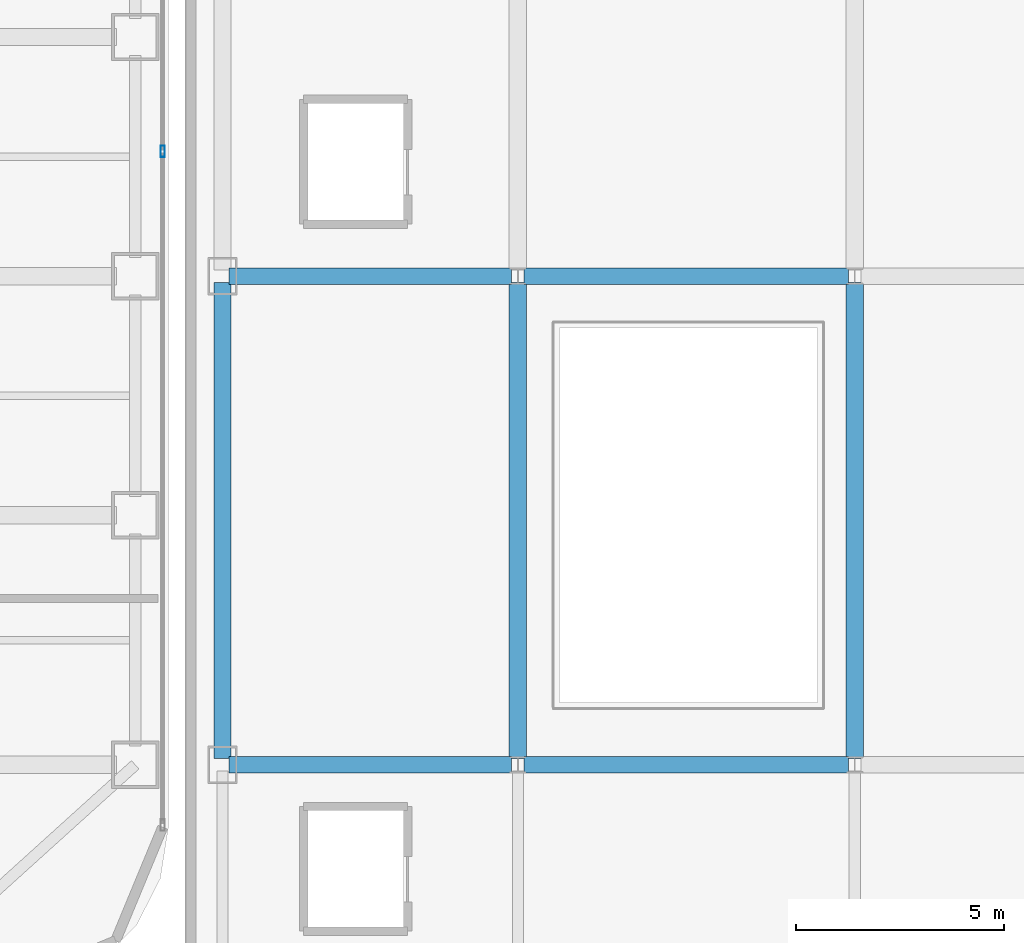
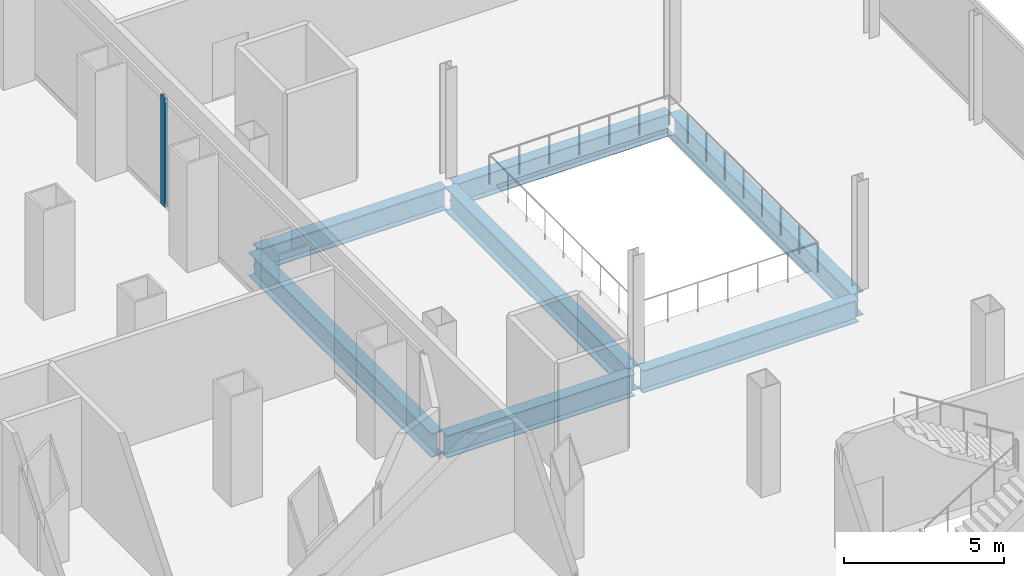
# One storey, part 12 of 27: 7 beams, 1 member, 1 element without a shape of its own.
"""IFC4 building model written with IfcOpenShell, lengths in metres."""

from ifc_helpers import new_model, si_unit, direction, frame, origin, origin_2d, place, context, subcontext, project, spatial, hollow_rectangle, i_section, extrude, source, transform, mapped, material, layer, layer_set, material_profile, profile_set, type_object, element, aggregate, save


model = new_model("IFC4")

# Units and contexts
model_context = context("Model", 3, precision=1e-05, world=origin(), true_north=direction((0.0, 1.0)))
body_context = subcontext(model_context, "Body", "Model", "MODEL_VIEW")
ifc_project = project(units=[si_unit("LENGTHUNIT", "METRE"), si_unit("AREAUNIT", "SQUARE_METRE"), si_unit("VOLUMEUNIT", "CUBIC_METRE"), si_unit("PLANEANGLEUNIT", "RADIAN"), si_unit("MASSUNIT", "GRAM", prefix="KILO")], contexts=[model_context])

# Site, building, storey
site_placement = place(None, origin())
site = spatial("IfcSite", under=ifc_project, at=site_placement, CompositionType="ELEMENT")
building_placement = place(site_placement, origin())
building = spatial("IfcBuilding", under=site, at=building_placement, Name="Kolveth Station Tower", CompositionType="ELEMENT")
storey_placement = place(building_placement, frame((0.0, 0.0, 13.5)))
storey = spatial("IfcBuildingStorey", under=building, at=storey_placement, Name="L03", CompositionType="ELEMENT", Elevation=13.5)

# Beams
ifc_material_1 = material(Name="Steel S355", Category="steel")
ifc_material_profile_1 = material_profile(ifc_material_1, i_section(OverallWidth=0.40087890625, OverallDepth=0.85107421875, WebThickness=0.01611328125, FlangeThickness=0.025390625, at=origin_2d()), Name="W840x226")
ifc_profile_set_1 = profile_set([ifc_material_profile_1], Name="Steel S355")
beam_type_1 = type_object("IfcBeamType", Name="Beam_B2", PredefinedType="BEAM", material=ifc_profile_set_1)
shared_shape_1 = source(origin(), body_context, "Body", "SweptSolid", [
    extrude(i_section(OverallWidth=0.40087890625, OverallDepth=0.85107421875, WebThickness=0.01611328125, FlangeThickness=0.025390625, at=origin_2d()), origin(), (0.0, 0.0, 1.0), 6.800048828125),
])
for number, where, z_axis, x_axis, name in (
    (1, (48.449951171875, 5.5, -0.74560546875), (1.0, 0.0, 0.0), (0.0, 1.0, 0.0), "L03 Station Portal Girder SBM-L03-EW-3-1"),
    (2, (48.449951171875, 17.25, -0.74560546875), (1.0, 0.0, 0.0), (0.0, 1.0, 0.0), "L03 Station Portal Girder SBM-L03-EW-4-1"),
):
    element("IfcBeam", number, at=place(storey_placement, frame(where, z_axis=z_axis, x_axis=x_axis)), inside=storey, type_object=beam_type_1, Name=name, PredefinedType="BEAM", context=body_context, shape_type="MappedRepresentation", body=[
        mapped(shared_shape_1, transform((0.0, 0.0, 0.0), x_axis=(1.0, 0.0, 0.0), y_axis=(0.0, 1.0, 0.0), z_axis=(0.0, 0.0, 1.0), scale=1.0)),
    ])
shared_shape_2 = source(origin(), body_context, "Body", "SweptSolid", [
    extrude(i_section(OverallWidth=0.40087890625, OverallDepth=0.85107421875, WebThickness=0.01611328125, FlangeThickness=0.025390625, at=origin_2d()), origin(), (0.0, 0.0, 1.0), 7.800048828125),
])
for number, where, z_axis, x_axis, name in (
    (3, (55.550048828125, 5.5, -0.74560546875), (1.0, 0.0, 0.0), (0.0, 1.0, 0.0), "L03 Station Portal Girder SBM-L03-EW-3-2"),
    (4, (55.550048828125, 17.25, -0.74560546875), (1.0, 0.0, 0.0), (0.0, 1.0, 0.0), "L03 Station Portal Girder SBM-L03-EW-4-2"),
):
    element("IfcBeam", number, at=place(storey_placement, frame(where, z_axis=z_axis, x_axis=x_axis)), inside=storey, type_object=beam_type_1, Name=name, PredefinedType="BEAM", context=body_context, shape_type="MappedRepresentation", body=[
        mapped(shared_shape_2, transform((0.0, 0.0, 0.0), x_axis=(1.0, 0.0, 0.0), y_axis=(0.0, 1.0, 0.0), z_axis=(0.0, 0.0, 1.0), scale=1.0)),
    ])
ifc_material_profile_2 = material_profile(ifc_material_1, i_section(OverallWidth=0.41796875, OverallDepth=0.912109375, WebThickness=0.019287109375, FlangeThickness=0.031982421875, at=origin_2d()), Name="W920x342")
ifc_profile_set_2 = profile_set([ifc_material_profile_2], Name="Steel S355")
beam_type_2 = type_object("IfcBeamType", Name="Beam_B1", PredefinedType="BEAM", material=ifc_profile_set_2)
shared_shape_3 = source(origin(), body_context, "Body", "SweptSolid", [
    extrude(i_section(OverallWidth=0.41796875, OverallDepth=0.912109375, WebThickness=0.019287109375, FlangeThickness=0.031982421875, at=origin_2d()), origin(), (0.0, 0.0, 1.0), 11.4501953125),
])
for number, where, z_axis, x_axis, name in (
    (5, (48.300048828125, 5.64990234375, -0.77587890625), (0.0, 1.0, 0.0), (-1.0, 0.0, 0.0), "L03 Station Spine Girder SBM-L03-NS-1-3"),
    (6, (55.39990234375, 5.64990234375, -0.77587890625), (0.0, 1.0, 0.0), (-1.0, 0.0, 0.0), "L03 Station Spine Girder SBM-L03-NS-2-3"),
    (7, (63.5, 5.64990234375, -0.77587890625), (0.0, 1.0, 0.0), (-1.0, 0.0, 0.0), "L03 Station Spine Girder SBM-L03-NS-3-3"),
):
    element("IfcBeam", number, at=place(storey_placement, frame(where, z_axis=z_axis, x_axis=x_axis)), inside=storey, type_object=beam_type_2, Name=name, PredefinedType="BEAM", context=body_context, shape_type="MappedRepresentation", body=[
        mapped(shared_shape_3, transform((0.0, 0.0, 0.0), x_axis=(1.0, 0.0, 0.0), y_axis=(0.0, 1.0, 0.0), z_axis=(0.0, 0.0, 1.0), scale=1.0)),
    ])

# Curtain wall, member
ifc_material_2 = material(Name="Black anodized aluminium 6063-T6 and clear station glass", Category="aluminium")
ifc_layer = layer(ifc_material_2, 0.239990234375)
ifc_layer_set = layer_set([ifc_layer], Name="Black anodized aluminium 6063-T6 and clear station glass")
curtain_wall_type = type_object("IfcCurtainWallType", Name="CurtainWall_CW-ST", PredefinedType="NOTDEFINED", material=ifc_layer_set)
curtain_wall_placement = place(storey_placement, origin())
curtain_wall = element("IfcCurtainWall", 8, at=curtain_wall_placement, inside=storey, type_object=curtain_wall_type, Name="L03 Tower Podium East Storefront Curtain Wall", PredefinedType="NOTDEFINED")
ifc_material_3 = material(Name="Black anodized aluminium 6063-T6", Category="aluminium")
ifc_material_profile_3 = material_profile(ifc_material_3, hollow_rectangle(XDim=0.10009765625, YDim=0.280029296875, WallThickness=0.0048828125, at=origin_2d()), Name="ALU-100x280x5")
ifc_profile_set_3 = profile_set([ifc_material_profile_3], Name="Black anodized aluminium 6063-T6")
member_type = type_object("IfcMemberType", Name="Mullion_ML-ST", PredefinedType="MULLION", material=ifc_profile_set_3)
shared_shape_4 = source(origin(), body_context, "Body", "SweptSolid", [
    extrude(hollow_rectangle(XDim=0.10009765625, YDim=0.280029296875, WallThickness=0.0048828125, at=origin_2d()), origin(), (0.0, 0.0, 1.0), 4.179931640625),
])
member_placement = place(storey_placement, frame((46.860107421875, 20.25, 0.0), z_axis=(0.0, 0.0, 1.0), x_axis=(-1.0, 0.0, 0.0)))
member = element("IfcMember", 9, at=member_placement, type_object=member_type, Name="CW-ST mullion 2", PredefinedType="MULLION", context=body_context, shape_type="MappedRepresentation", body=[
    mapped(shared_shape_4, transform((0.0, 0.0, 0.0), x_axis=(1.0, 0.0, 0.0), y_axis=(0.0, 1.0, 0.0), z_axis=(0.0, 0.0, 1.0), scale=1.0)),
])
aggregate(curtain_wall, [member])

save(model, "model.ifc")
